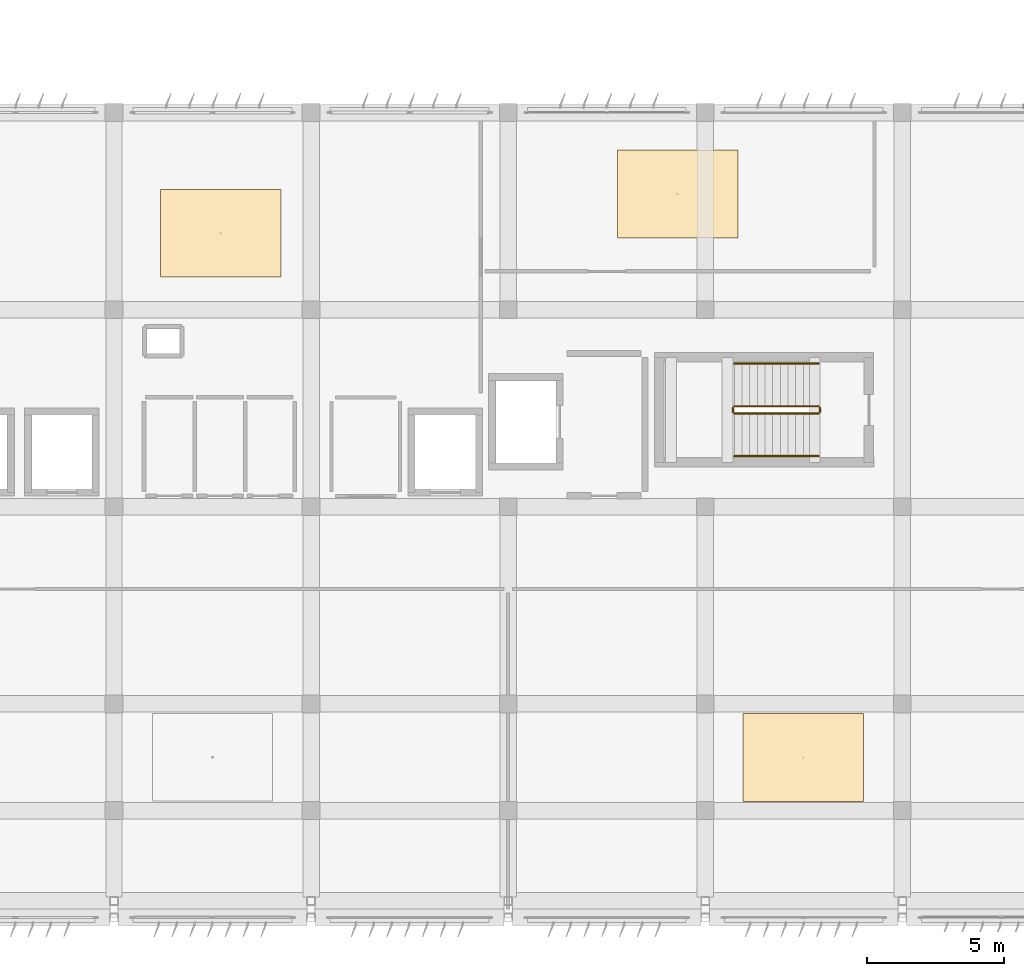
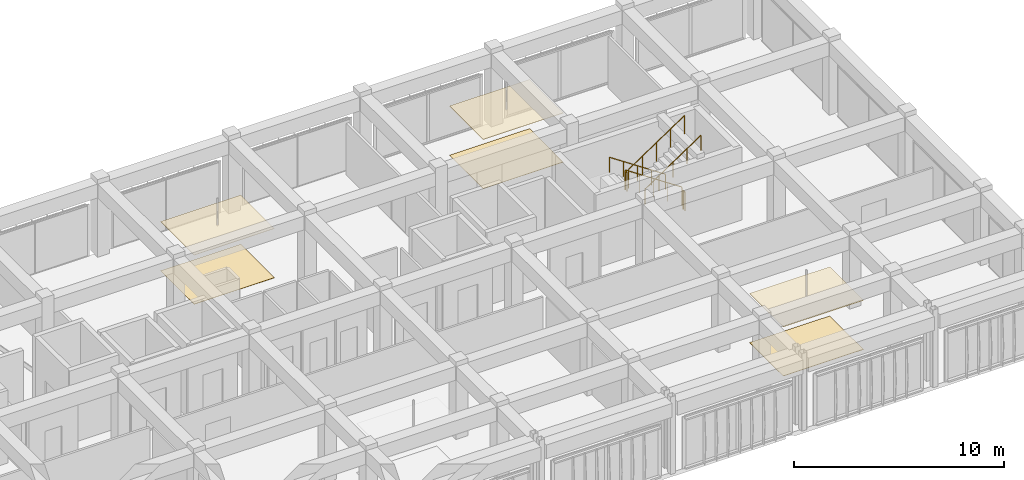
# One storey, part 55 of 56: 6 coverings, 6 railings.
"""IFC4 building model written with IfcOpenShell, lengths in metres."""

import ifcopenshell
import ifcopenshell.guid

model = None  # the IFC model being written
_history = None  # IfcOwnerHistory: only IFC2X3 demands one
_inside = {}  # id of a spatial element -> (the spatial element, [elements in it])
_under = {}  # id of a project, library or spatial element -> (it, [spatial elements below it])
_declared = {}  # id of a project -> (the project, [libraries it declares])
_typed = {}  # id of a type object -> (the type object, [elements of that type])
_made_of = {}  # id of a material, layer set ... -> (it, [elements and type objects made of it])


def new_model(schema):
    """Start an empty IFC model of exactly this schema.

    Asked for "IFC4X3", IfcOpenShell would pick the latest addendum, in which some entities
    have other attributes; the version numbers below select the first issue.
    IFC2X3 requires an IfcOwnerHistory on every rooted entity: one is made here for all.
    """
    global model, _history
    if schema == "IFC4X3":
        model = ifcopenshell.file(schema_version=(4, 3, 0, 0))
    else:
        model = ifcopenshell.file(schema=schema)
    _inside.clear()
    _under.clear()
    _declared.clear()
    _typed.clear()
    _made_of.clear()
    _history = None
    if model.schema == "IFC2X3":
        org = make("IfcOrganization", Name="unknown")
        user = make(
            "IfcPersonAndOrganization",
            ThePerson=make("IfcPerson", FamilyName="unknown"),
            TheOrganization=org,
        )
        app = make(
            "IfcApplication",
            ApplicationDeveloper=org,
            Version="unknown",
            ApplicationFullName="unknown",
            ApplicationIdentifier="unknown",
        )
        _history = make(
            "IfcOwnerHistory",
            OwningUser=user,
            OwningApplication=app,
            ChangeAction="ADDED",
            CreationDate=0,
        )
    return model


def make(cls, **values):
    """One entity of the class cls with the attributes given. An attribute that is None is left unset."""
    return model.create_entity(
        cls, **{name: value for name, value in values.items() if value is not None}
    )


def rooted(cls, **values):
    """An entity with a GlobalId (a new one), such as an element, a storey or a relation."""
    return make(cls, GlobalId=ifcopenshell.guid.new(), OwnerHistory=_history, **values)


def si_unit(unit_type, name, prefix=None):
    """IfcSIUnit, for example si_unit("LENGTHUNIT", "METRE", prefix="MILLI")."""
    return make("IfcSIUnit", UnitType=unit_type, Prefix=prefix, Name=name)


def assignment(units):
    """IfcUnitAssignment: the units of a project."""
    return None if units is None else make("IfcUnitAssignment", Units=units)


def point(xyz):
    """IfcCartesianPoint."""
    return None if xyz is None else make("IfcCartesianPoint", Coordinates=xyz)


def direction(xyz):
    """IfcDirection."""
    return None if xyz is None else make("IfcDirection", DirectionRatios=xyz)


def frame(location, z_axis=None, x_axis=None):
    """IfcAxis2Placement3D, a coordinate frame: its origin and axes. An axis left out is left unset."""
    return make(
        "IfcAxis2Placement3D",
        Location=point(location),
        Axis=direction(z_axis),
        RefDirection=direction(x_axis),
    )


def frame_2d(location, x_axis=None):
    """IfcAxis2Placement2D, a coordinate frame in the plane: its origin and x axis."""
    return make(
        "IfcAxis2Placement2D", Location=point(location), RefDirection=direction(x_axis)
    )


def origin():
    """The frame at (0, 0, 0) with its axes left unset."""
    return frame((0.0, 0.0, 0.0))


def origin_2d():
    """The frame at (0, 0) in the plane with its x axis left unset."""
    return frame_2d((0.0, 0.0))


def place(relative_to, where):
    """IfcLocalPlacement: puts the frame where relative to a parent placement (None: the world)."""
    return make(
        "IfcLocalPlacement", PlacementRelTo=relative_to, RelativePlacement=where
    )


def context(
    kind, dimensions, precision=None, world=None, true_north=None, identifier=None
):
    """IfcGeometricRepresentationContext, for example the 3D "Model" context."""
    return make(
        "IfcGeometricRepresentationContext",
        ContextIdentifier=identifier,
        ContextType=kind,
        CoordinateSpaceDimension=dimensions,
        Precision=precision,
        WorldCoordinateSystem=world,
        TrueNorth=true_north,
    )


def subcontext(parent, identifier, kind, view, scale=None):
    """IfcGeometricRepresentationSubContext, for example "Body" below "Model"."""
    return make(
        "IfcGeometricRepresentationSubContext",
        ContextIdentifier=identifier,
        ContextType=kind,
        ParentContext=parent,
        TargetScale=scale,
        TargetView=view,
    )


def project(units=None, contexts=None):
    """IfcProject with its units and contexts."""
    return rooted(
        "IfcProject",
        Name="project",
        RepresentationContexts=contexts,
        UnitsInContext=assignment(units),
    )


def spatial(cls, under=None, at=None, **own):
    """A site, building, storey or space (cls), placed at a placement, below another one or the project."""
    s = rooted(cls, ObjectPlacement=at, **own)
    if under is not None:
        _under.setdefault(under.id(), (under, []))[1].append(s)
    return s


def profile(cls, at=None, kind="AREA", **sizes):
    """A parametric profile (cls). Its sizes go by their IFC names, for example OverallWidth=200.0."""
    return make(cls, ProfileType=kind, Position=at, **sizes)


def rectangle(**sizes):
    """IfcRectangleProfileDef."""
    return profile("IfcRectangleProfileDef", **sizes)


def circle(**sizes):
    """IfcCircleProfileDef."""
    return profile("IfcCircleProfileDef", **sizes)


def extrude(swept, where, along, depth):
    """IfcExtrudedAreaSolid: the profile swept, set in the frame where, extruded along a direction by depth."""
    return make(
        "IfcExtrudedAreaSolid",
        SweptArea=swept,
        Position=where,
        ExtrudedDirection=direction(along),
        Depth=depth,
    )


def shape(context_of_items, identifier, shape_type, items):
    """IfcShapeRepresentation: the items that make up one representation, for example the "Body"."""
    return make(
        "IfcShapeRepresentation",
        ContextOfItems=context_of_items,
        RepresentationIdentifier=identifier,
        RepresentationType=shape_type,
        Items=items,
    )


def material(Name=None, Category=None):
    """IfcMaterial."""
    return make("IfcMaterial", Name=Name, Category=Category)


def layer(
    of_material, thickness, ventilated=None, Name=None, Category=None, Priority=None
):
    """IfcMaterialLayer: one layer of a wall or slab, of a material (None: an air gap)."""
    return make(
        "IfcMaterialLayer",
        Material=of_material,
        LayerThickness=thickness,
        IsVentilated=ventilated,
        Name=Name,
        Category=Category,
        Priority=Priority,
    )


def layer_set(layers, Name=None):
    """IfcMaterialLayerSet."""
    return make("IfcMaterialLayerSet", MaterialLayers=layers, LayerSetName=Name)


def made_of(thing, what):
    """Note that an element or type object is made of a material, layer set ...; save() writes the relation."""
    if what is not None:
        _made_of.setdefault(what.id(), (what, []))[1].append(thing)
    return thing


def type_object(cls, material=None, **own):
    """A type object (cls), such as IfcWallType, which elements share."""
    return made_of(rooted(cls, **own), material)


def element(
    cls,
    number,
    at=None,
    inside=None,
    cuts=None,
    type_object=None,
    material=None,
    context=None,
    identifier="Body",
    shape_type=None,
    held_by="IfcProductDefinitionShape",
    body=None,
    shapes=None,
    **own,
):
    """One element of the class cls, such as IfcWall. Its Tag is "e" and its number.

    at: its placement. inside: the storey or other place that contains it. cuts: it is an
    opening in that element (IfcRelVoidsElement). A single representation is given by context,
    identifier, shape_type and body (its items); several are given by shapes. held_by: the class
    of the entity that holds the representations. save() writes the other relations.
    """
    e = rooted(cls, Tag="e%d" % number, ObjectPlacement=at, **own)
    if body is not None:
        shapes = [shape(context, identifier, shape_type, body)]
    if shapes is not None:
        e.Representation = make(held_by, Representations=shapes)
    if inside is not None:
        _inside.setdefault(inside.id(), (inside, []))[1].append(e)
    if cuts is not None:
        rooted(
            "IfcRelVoidsElement", RelatingBuildingElement=cuts, RelatedOpeningElement=e
        )
    if type_object is not None:
        _typed.setdefault(type_object.id(), (type_object, []))[1].append(e)
    return made_of(e, material)


def aggregate(whole, parts):
    """IfcRelAggregates: a whole, such as a stair, and the parts it consists of."""
    return rooted("IfcRelAggregates", RelatingObject=whole, RelatedObjects=parts)


def save(model, path):
    """Write the relations noted so far, then the file.

    IfcRelAggregates (storeys below a building ...), IfcRelContainedInSpatialStructure (elements
    in a storey), IfcRelDefinesByType, IfcRelAssociatesMaterial and IfcRelDeclares: one each for
    every whole, place, type object, material and project.
    """
    for whole, parts in _under.values():
        aggregate(whole, parts)
    for where, things in _inside.values():
        rooted(
            "IfcRelContainedInSpatialStructure",
            RelatedElements=things,
            RelatingStructure=where,
        )
    for kind, things in _typed.values():
        rooted("IfcRelDefinesByType", RelatedObjects=things, RelatingType=kind)
    for what, things in _made_of.values():
        rooted("IfcRelAssociatesMaterial", RelatedObjects=things, RelatingMaterial=what)
    for by, libraries in _declared.values():
        rooted("IfcRelDeclares", RelatingContext=by, RelatedDefinitions=libraries)
    model.write(path)


model = new_model("IFC4")

# Units and contexts
model_context = context("Model", 3, precision=1e-05, world=origin(), true_north=direction((0.0, 1.0)))
body_context = subcontext(model_context, "Body", "Model", "MODEL_VIEW")
ifc_project = project(units=[si_unit("LENGTHUNIT", "METRE"), si_unit("AREAUNIT", "SQUARE_METRE"), si_unit("VOLUMEUNIT", "CUBIC_METRE"), si_unit("PLANEANGLEUNIT", "RADIAN"), si_unit("MASSUNIT", "GRAM", prefix="KILO")], contexts=[model_context])

# Site, building, storey
site_placement = place(None, origin())
site = spatial("IfcSite", under=ifc_project, at=site_placement, CompositionType="ELEMENT")
building_placement = place(site_placement, origin())
building = spatial("IfcBuilding", under=site, at=building_placement, Name="Kazehaya Institute of Natural Sciences", CompositionType="ELEMENT")
storey_placement = place(building_placement, frame((0.0, 0.0, 28.800048828125)))
storey = spatial("IfcBuildingStorey", under=building, at=storey_placement, Name="L06", CompositionType="ELEMENT", Elevation=28.800048828125)

# Coverings
ifc_material_1 = material(Name="Mineral-fibre acoustic ceiling tile")
ifc_layer_1 = layer(ifc_material_1, 0.02490234375, Name="Mineral-fibre acoustic ceiling tile")
ifc_layer_set_1 = layer_set([ifc_layer_1], Name="Mineral-fibre acoustic ceiling tile")
covering_type_1 = type_object("IfcCoveringType", Name="COV-CEIL-AC", PredefinedType="CEILING", material=ifc_layer_set_1)
for number, where, z_axis, x_axis, name in (
    (1, (108.578125, 12.04052734375, 2.847412109375), (0.0, 0.0, 1.0), (1.0, 0.0, 0.0), "L06 Senior Fellow Write-up Office ceiling 58"),
    (2, (87.302001953125, 31.19580078125, 2.847412109375), (0.0, 0.0, 1.0), (1.0, 0.0, 0.0), "L06 Surface Science Laboratory ceiling 59"),
    (3, (103.989990234375, 32.625, 2.847412109375), (0.0, 0.0, 1.0), (1.0, 0.0, 0.0), "L06 Cold Room and Autoclave Alcove ceiling 60"),
):
    element("IfcCovering", number, at=place(storey_placement, frame(where, z_axis=z_axis, x_axis=x_axis)), inside=storey, type_object=covering_type_1, Name=name, PredefinedType="CEILING", context=body_context, shape_type="SweptSolid", body=[
        extrude(rectangle(XDim=4.39990234375, YDim=3.199951171875, at=origin_2d()), origin(), (0.0, 0.0, 1.0), 0.02490234375),
    ])
ifc_material_2 = material(Name="Seamless chemical-resistant epoxy flooring")
ifc_layer_2 = layer(ifc_material_2, 0.014892578125, Name="Seamless chemical-resistant epoxy flooring")
ifc_layer_set_2 = layer_set([ifc_layer_2], Name="Seamless chemical-resistant epoxy flooring")
covering_type_2 = type_object("IfcCoveringType", Name="COV-FLR-EPX", PredefinedType="FLOORING", material=ifc_layer_set_2)
for number, where, z_axis, x_axis, name in (
    (4, (87.302001953125, 31.19580078125, 0.0), (0.0, 0.0, 1.0), (1.0, 0.0, 0.0), "L06 Surface Science Laboratory finish flooring 59"),
    (5, (103.989990234375, 32.625, 0.0), (0.0, 0.0, 1.0), (1.0, 0.0, 0.0), "L06 Cold Room and Autoclave Alcove finish flooring 60"),
):
    element("IfcCovering", number, at=place(storey_placement, frame(where, z_axis=z_axis, x_axis=x_axis)), inside=storey, type_object=covering_type_2, Name=name, PredefinedType="FLOORING", context=body_context, shape_type="SweptSolid", body=[
        extrude(rectangle(XDim=4.39990234375, YDim=3.199951171875, at=origin_2d()), origin(), (0.0, 0.0, 1.0), 0.014892578125),
    ])
ifc_material_3 = material(Name="Polished Sawara stone terrazzo flooring", Category="masonry")
ifc_layer_3 = layer(ifc_material_3, 0.02001953125, Name="Polished Sawara stone terrazzo flooring", Category="masonry")
ifc_layer_set_3 = layer_set([ifc_layer_3], Name="Polished Sawara stone terrazzo flooring")
covering_type_3 = type_object("IfcCoveringType", Name="COV-FLR-TRZ", PredefinedType="FLOORING", material=ifc_layer_set_3)
covering_placement = place(storey_placement, frame((108.578125, 12.04052734375, 0.0), z_axis=(0.0, 0.0, 1.0), x_axis=(1.0, 0.0, 0.0)))
element("IfcCovering", 6, at=covering_placement, inside=storey, type_object=covering_type_3, Name="L06 Senior Fellow Write-up Office finish flooring 58", PredefinedType="FLOORING", context=body_context, shape_type="SweptSolid", body=[
    extrude(rectangle(XDim=4.39990234375, YDim=3.199951171875, at=origin_2d()), origin(), (0.0, 0.0, 1.0), 0.02001953125),
])

# Railings
ifc_material_4 = material(Name="Structural steel SN490B", Category="steel")
railing_type_1 = type_object("IfcRailingType", Name="RL-STAIR-GRD", PredefinedType="GUARDRAIL", material=ifc_material_4)
railing_1_placement = place(storey_placement, frame((109.139892578125, 24.8701171875, 0.1875)))
element("IfcRailing", 7, at=railing_1_placement, inside=storey, type_object=railing_type_1, Name="L06 ST-2 stair guard 1", PredefinedType="GUARDRAIL", context=body_context, shape_type="SweptSolid", body=[
    extrude(circle(Radius=0.02392578125, at=origin_2d()), frame((0.0, 0.0, 1.076171875), z_axis=(-0.830893310487, 0.0, 0.556431762742), x_axis=(0.0, -1.0, 0.0)), (0.0, 0.0, 1.0), 3.70654296875),
    extrude(circle(Radius=0.02099609375, at=origin_2d()), origin(), (0.0, 0.0, 1.0), 1.052001953125),
    extrude(circle(Radius=0.02099609375, at=origin_2d()), frame((-0.77001953125, 0.0, 0.515625)), (0.0, 0.0, 1.0), 1.052001953125),
    extrude(circle(Radius=0.02099609375, at=origin_2d()), frame((-1.5400390625, 0.0, 1.03125)), (0.0, 0.0, 1.0), 1.052001953125),
    extrude(circle(Radius=0.02099609375, at=origin_2d()), frame((-2.309814453125, 0.0, 1.546875)), (0.0, 0.0, 1.0), 1.052001953125),
    extrude(circle(Radius=0.02099609375, at=origin_2d()), frame((-3.079833984375, 0.0, 2.0625)), (0.0, 0.0, 1.0), 1.052001953125),
])
railing_2_placement = place(storey_placement, frame((106.010009765625, 24.820068359375, 2.25)))
element("IfcRailing", 8, at=railing_2_placement, inside=storey, type_object=railing_type_1, Name="L06 ST-2 stair guard 2", PredefinedType="GUARDRAIL", context=body_context, shape_type="SweptSolid", body=[
    extrude(circle(Radius=0.02392578125, at=origin_2d()), frame((0.0, 0.0, 1.076171875), z_axis=(0.0, -1.0, 0.0), x_axis=(1.0, 0.0, 0.0)), (0.0, 0.0, 1.0), 0.16015625),
    extrude(circle(Radius=0.02099609375, at=origin_2d()), origin(), (0.0, 0.0, 1.0), 1.052001953125),
    extrude(circle(Radius=0.02099609375, at=origin_2d()), frame((0.0, -0.16015625, 0.0)), (0.0, 0.0, 1.0), 1.052001953125),
])
railing_3_placement = place(storey_placement, frame((106.06005859375, 24.610107421875, 2.4375)))
element("IfcRailing", 9, at=railing_3_placement, inside=storey, type_object=railing_type_1, Name="L06 ST-2 stair guard 3", PredefinedType="GUARDRAIL", context=body_context, shape_type="SweptSolid", body=[
    extrude(circle(Radius=0.02392578125, at=origin_2d()), frame((0.0, 0.0, 1.076171875), z_axis=(0.830893310487, 0.0, 0.556431762742), x_axis=(0.0, 1.0, 0.0)), (0.0, 0.0, 1.0), 3.70654296875),
    extrude(circle(Radius=0.02099609375, at=origin_2d()), origin(), (0.0, 0.0, 1.0), 1.052001953125),
    extrude(circle(Radius=0.02099609375, at=origin_2d()), frame((0.77001953125, 0.0, 0.515625)), (0.0, 0.0, 1.0), 1.052001953125),
    extrude(circle(Radius=0.02099609375, at=origin_2d()), frame((1.5400390625, 0.0, 1.03125)), (0.0, 0.0, 1.0), 1.052001953125),
    extrude(circle(Radius=0.02099609375, at=origin_2d()), frame((2.309814453125, 0.0, 1.546875)), (0.0, 0.0, 1.0), 1.052001953125),
    extrude(circle(Radius=0.02099609375, at=origin_2d()), frame((3.079833984375, 0.0, 2.0625)), (0.0, 0.0, 1.0), 1.052001953125),
])
railing_4_placement = place(storey_placement, frame((109.18994140625, 24.820068359375, 0.0)))
element("IfcRailing", 10, at=railing_4_placement, inside=storey, type_object=railing_type_1, Name="L06 ST-2 stair guard 4", PredefinedType="GUARDRAIL", context=body_context, shape_type="SweptSolid", body=[
    extrude(circle(Radius=0.02392578125, at=origin_2d()), frame((0.0, 0.0, 1.076171875), z_axis=(0.0, -1.0, 0.0), x_axis=(1.0, 0.0, 0.0)), (0.0, 0.0, 1.0), 0.16015625),
    extrude(circle(Radius=0.02099609375, at=origin_2d()), origin(), (0.0, 0.0, 1.0), 1.052001953125),
    extrude(circle(Radius=0.02099609375, at=origin_2d()), frame((0.0, -0.16015625, 0.0)), (0.0, 0.0, 1.0), 1.052001953125),
])
ifc_material_5 = material(Name="Brushed stainless steel handrail", Category="steel")
railing_type_2 = type_object("IfcRailingType", Name="RL-STAIR-HND", PredefinedType="HANDRAIL", material=ifc_material_5)
railing_5_placement = place(storey_placement, frame((109.139892578125, 26.429931640625, 0.1875)))
element("IfcRailing", 11, at=railing_5_placement, inside=storey, type_object=railing_type_2, Name="L06 ST-2 stair handrail 1", PredefinedType="HANDRAIL", context=body_context, shape_type="SweptSolid", body=[
    extrude(circle(Radius=0.02392578125, at=origin_2d()), frame((0.0, 0.0, 0.8759765625), z_axis=(-0.830893310487, 0.0, 0.556431762742), x_axis=(0.0, -1.0, 0.0)), (0.0, 0.0, 1.0), 3.70654296875),
    extrude(circle(Radius=0.02099609375, at=origin_2d()), origin(), (0.0, 0.0, 1.0), 0.851806640625),
    extrude(circle(Radius=0.02099609375, at=origin_2d()), frame((-0.77001953125, 0.0, 0.515625)), (0.0, 0.0, 1.0), 0.851806640625),
    extrude(circle(Radius=0.02099609375, at=origin_2d()), frame((-1.5400390625, 0.0, 1.03125)), (0.0, 0.0, 1.0), 0.851806640625),
    extrude(circle(Radius=0.02099609375, at=origin_2d()), frame((-2.309814453125, 0.0, 1.546875)), (0.0, 0.0, 1.0), 0.851806640625),
    extrude(circle(Radius=0.02099609375, at=origin_2d()), frame((-3.079833984375, 0.0, 2.0625)), (0.0, 0.0, 1.0), 0.851806640625),
])
railing_6_placement = place(storey_placement, frame((106.06005859375, 23.050048828125, 2.4375)))
element("IfcRailing", 12, at=railing_6_placement, inside=storey, type_object=railing_type_2, Name="L06 ST-2 stair handrail 2", PredefinedType="HANDRAIL", context=body_context, shape_type="SweptSolid", body=[
    extrude(circle(Radius=0.02392578125, at=origin_2d()), frame((0.0, 0.0, 0.8759765625), z_axis=(0.830893310487, 0.0, 0.556431762742), x_axis=(0.0, 1.0, 0.0)), (0.0, 0.0, 1.0), 3.70654296875),
    extrude(circle(Radius=0.02099609375, at=origin_2d()), origin(), (0.0, 0.0, 1.0), 0.851806640625),
    extrude(circle(Radius=0.02099609375, at=origin_2d()), frame((0.77001953125, 0.0, 0.515625)), (0.0, 0.0, 1.0), 0.851806640625),
    extrude(circle(Radius=0.02099609375, at=origin_2d()), frame((1.5400390625, 0.0, 1.03125)), (0.0, 0.0, 1.0), 0.851806640625),
    extrude(circle(Radius=0.02099609375, at=origin_2d()), frame((2.309814453125, 0.0, 1.546875)), (0.0, 0.0, 1.0), 0.851806640625),
    extrude(circle(Radius=0.02099609375, at=origin_2d()), frame((3.079833984375, 0.0, 2.0625)), (0.0, 0.0, 1.0), 0.851806640625),
])

save(model, "model.ifc")
